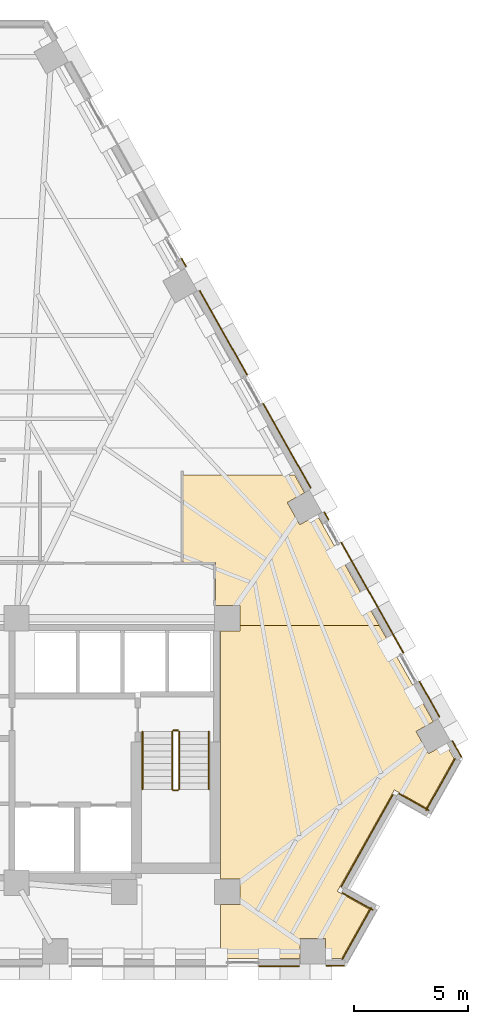
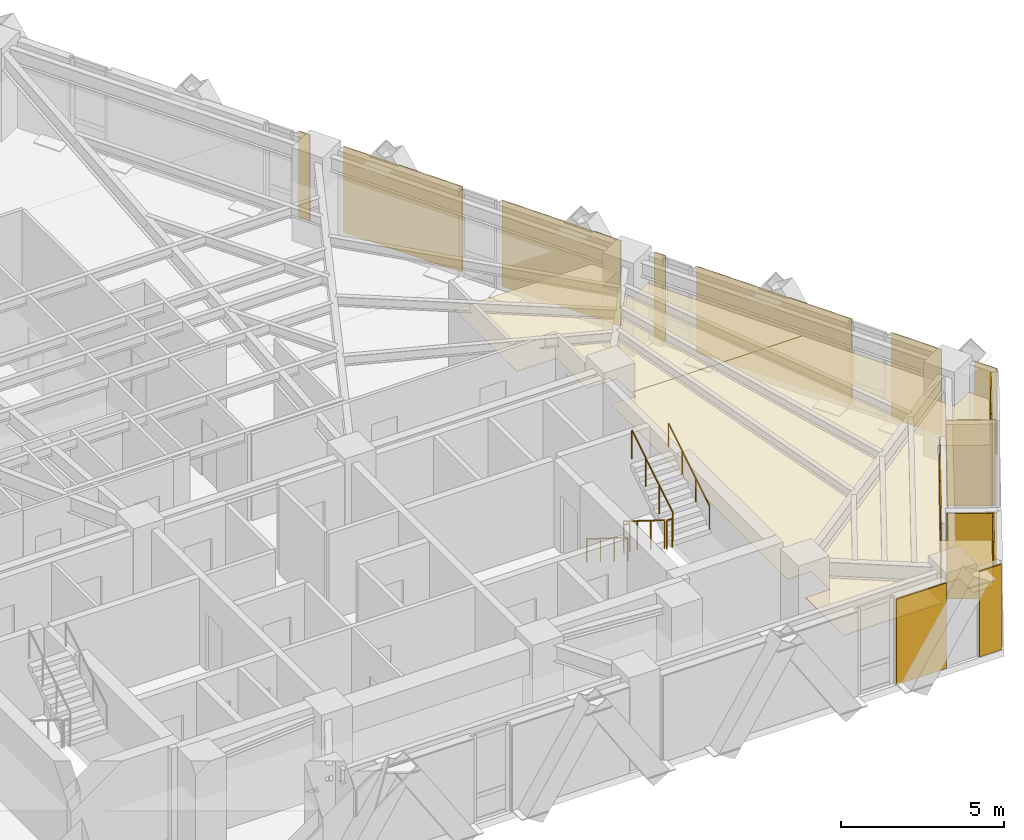
# One storey, part 12 of 13: 16 coverings, 6 railings.
"""IFC4 building model written with IfcOpenShell, lengths in metres."""

from ifc_helpers import new_model, si_unit, direction, frame, origin, origin_2d, place, context, subcontext, project, spatial, polyline, circle, outline, extrude, material, layer, layer_set, type_object, element, save


model = new_model("IFC4")

# Units and contexts
model_context = context("Model", 3, precision=1e-05, world=origin(), true_north=direction((0.0, 1.0)))
body_context = subcontext(model_context, "Body", "Model", "MODEL_VIEW")
ifc_project = project(units=[si_unit("LENGTHUNIT", "METRE"), si_unit("AREAUNIT", "SQUARE_METRE"), si_unit("VOLUMEUNIT", "CUBIC_METRE"), si_unit("PLANEANGLEUNIT", "RADIAN"), si_unit("MASSUNIT", "GRAM", prefix="KILO")], contexts=[model_context])

# Site, building, storey
site_placement = place(None, origin())
site = spatial("IfcSite", under=ifc_project, at=site_placement, CompositionType="ELEMENT")
building_placement = place(site_placement, origin())
building = spatial("IfcBuilding", under=site, at=building_placement, Name="Quenlor Broadcast Tower", CompositionType="ELEMENT")
storey_placement = place(building_placement, frame((0.0, 0.0, 105.5)))
storey = spatial("IfcBuildingStorey", under=building, at=storey_placement, Name="L28", CompositionType="ELEMENT", Elevation=105.5)

# Coverings
ifc_material_1 = material(Name="Acoustic Mineral Fibre Board", Category="other")
ifc_layer_1 = layer(ifc_material_1, 0.02490234375)
ifc_layer_set_1 = layer_set([ifc_layer_1], Name="Acoustic Perforated Mineral Tile Ceiling 25")
covering_type_1 = type_object("IfcCoveringType", Name="Acoustic Perforated Mineral Tile Ceiling 25", PredefinedType="CEILING", material=ifc_layer_set_1)
covering_1_placement = place(storey_placement, frame((0.0, 0.0, 2.22509765625)))
element("IfcCovering", 1, at=covering_1_placement, inside=storey, type_object=covering_type_1, Name="L28 Acoustic Ceiling L28-35", PredefinedType="CEILING", context=body_context, shape_type="SweptSolid", body=[
    extrude(outline(polyline([(11.0224609375, 1.4599609375), (15.888671875, 1.4599609375), (16.32666015625, 0.68115234375), (15.5703125, 0.255615234375), (16.1171875, -0.717041015625), (16.873779296875, -0.29150390625), (19.58984375, -5.1201171875), (13.508056640625, -5.1201171875), (13.508056640625, -4.241943359375), (12.43994140625, -4.241943359375), (12.43994140625, -2.3701171875), (11.0224609375, -2.3701171875), (11.0224609375, 1.4599609375)])), origin(), (0.0, 0.0, 1.0), 0.02490234375),
])
covering_2_placement = place(storey_placement, frame((0.0, 0.0, 2.22509765625)))
element("IfcCovering", 2, at=covering_2_placement, inside=storey, type_object=covering_type_1, Name="L28 Acoustic Ceiling L28-35-2", PredefinedType="CEILING", context=body_context, shape_type="SweptSolid", body=[
    extrude(outline(polyline([(21.951416015625, -9.318115234375), (21.19482421875, -9.74365234375), (21.741943359375, -10.71630859375), (22.49853515625, -10.290771484375), (22.85693359375, -10.927978515625), (21.64453125, -13.08349609375), (20.25, -12.299072265625), (17.759521484375, -16.7265625), (19.15380859375, -17.510986328125), (17.9453125, -19.659912109375), (17.25048828125, -19.659912109375), (17.25048828125, -18.7919921875), (16.134521484375, -18.7919921875), (16.134521484375, -19.659912109375), (12.64990234375, -19.659912109375), (12.64990234375, -17.30810546875), (13.508056640625, -17.30810546875), (13.508056640625, -16.19189453125), (12.64990234375, -16.19189453125), (12.64990234375, -5.35791015625), (13.508056640625, -5.35791015625), (13.508056640625, -5.1201171875), (19.58984375, -5.1201171875), (21.951416015625, -9.318115234375)])), origin(), (0.0, 0.0, 1.0), 0.02490234375),
])
ifc_material_2 = material(Name="Architectural Terracotta Ceramic", Category="masonry")
ifc_layer_2 = layer(ifc_material_2, 0.044921875)
ifc_layer_set_2 = layer_set([ifc_layer_2], Name="Fluted Terracotta Rainscreen Cladding Panel")
covering_type_2 = type_object("IfcCoveringType", Name="Fluted Terracotta Rainscreen Cladding Panel", PredefinedType="CLADDING", material=ifc_layer_set_2)
covering_3_placement = place(storey_placement, frame((0.0, 0.0, 0.02001953125)))
element("IfcCovering", 3, at=covering_3_placement, inside=storey, type_object=covering_type_2, Name="L28 Terracotta Rainscreen Cladding L28-SHD-SS0", PredefinedType="CLADDING", context=body_context, shape_type="SweptSolid", body=[
    extrude(outline(polyline([(18.053955078125, -19.951904296875), (17.277587890625, -19.951904296875), (17.277587890625, -19.9970703125), (18.053955078125, -19.9970703125), (18.053955078125, -19.951904296875)])), origin(), (0.0, 0.0, 1.0), 3.2099609375),
])
covering_4_placement = place(storey_placement, frame((0.0, 0.0, 0.02001953125)))
element("IfcCovering", 4, at=covering_4_placement, inside=storey, type_object=covering_type_2, Name="L28 Terracotta Rainscreen Cladding L28-SA-SP1", PredefinedType="CLADDING", context=body_context, shape_type="SweptSolid", body=[
    extrude(outline(polyline([(16.08740234375, -19.971923828125), (14.32177734375, -19.971923828125), (14.32177734375, -20.01708984375), (16.08740234375, -20.01708984375), (16.08740234375, -19.971923828125)])), origin(), (0.0, 0.0, 1.0), 3.2099609375),
])
covering_5_placement = place(storey_placement, frame((0.0, 0.0, 0.02001953125)))
element("IfcCovering", 5, at=covering_5_placement, inside=storey, type_object=covering_type_2, Name="L28 Terracotta Rainscreen Cladding L28-SHD-NES1", PredefinedType="CLADDING", context=body_context, shape_type="SweptSolid", body=[
    extrude(outline(polyline([(22.76611328125, -10.171142578125), (23.160888671875, -10.873046875), (23.2001953125, -10.85107421875), (22.805419921875, -10.149169921875), (22.76611328125, -10.171142578125)])), origin(), (0.0, 0.0, 1.0), 3.2099609375),
])
covering_6_placement = place(storey_placement, frame((0.0, 0.0, 0.02001953125)))
element("IfcCovering", 6, at=covering_6_placement, inside=storey, type_object=covering_type_2, Name="L28 Terracotta Rainscreen Cladding L28-NEA-SP3", PredefinedType="CLADDING", context=body_context, shape_type="SweptSolid", body=[
    extrude(outline(polyline([(10.936279296875, 10.900634765625), (11.13232421875, 10.552001953125), (11.171630859375, 10.57421875), (10.9755859375, 10.922607421875), (10.936279296875, 10.900634765625)])), origin(), (0.0, 0.0, 1.0), 3.2099609375),
])
covering_7_placement = place(storey_placement, frame((0.0, 0.0, 0.02001953125)))
element("IfcCovering", 7, at=covering_7_placement, inside=storey, type_object=covering_type_2, Name="L28 Terracotta Rainscreen Cladding L28-NEC-SP1", PredefinedType="CLADDING", context=body_context, shape_type="SweptSolid", body=[
    extrude(outline(polyline([(17.168701171875, -0.179443359375), (17.36474609375, -0.528076171875), (17.404052734375, -0.506103515625), (17.2080078125, -0.157470703125), (17.168701171875, -0.179443359375)])), origin(), (0.0, 0.0, 1.0), 3.2099609375),
])
covering_8_placement = place(storey_placement, frame((0.0, 0.0, 0.02001953125)))
element("IfcCovering", 8, at=covering_8_placement, inside=storey, type_object=covering_type_2, Name="L28 Terracotta Rainscreen Cladding L28-NEC-SP2", PredefinedType="CLADDING", context=body_context, shape_type="SweptSolid", body=[
    extrude(outline(polyline([(17.912841796875, -1.502197265625), (20.62744140625, -6.328369140625), (20.666748046875, -6.306396484375), (17.951904296875, -1.47998046875), (17.912841796875, -1.502197265625)])), origin(), (0.0, 0.0, 1.0), 3.2099609375),
])
covering_9_placement = place(storey_placement, frame((0.0, 0.0, 0.02001953125)))
element("IfcCovering", 9, at=covering_9_placement, inside=storey, type_object=covering_type_2, Name="L28 Terracotta Rainscreen Cladding L28-NEC-SP3", PredefinedType="CLADDING", context=body_context, shape_type="SweptSolid", body=[
    extrude(outline(polyline([(21.325927734375, -7.56982421875), (22.2001953125, -9.1240234375), (22.239501953125, -9.10205078125), (21.364990234375, -7.5478515625), (21.325927734375, -7.56982421875)])), origin(), (0.0, 0.0, 1.0), 3.2099609375),
])
covering_10_placement = place(storey_placement, frame((0.0, 0.0, 0.02001953125)))
element("IfcCovering", 10, at=covering_10_placement, inside=storey, type_object=covering_type_2, Name="L28 Terracotta Rainscreen Cladding L28-NE-SP1", PredefinedType="CLADDING", context=body_context, shape_type="SweptSolid", body=[
    extrude(outline(polyline([(11.72314453125, 9.501708984375), (13.801513671875, 5.806884765625), (13.8408203125, 5.8291015625), (11.76220703125, 9.523681640625), (11.72314453125, 9.501708984375)])), origin(), (0.0, 0.0, 1.0), 3.2099609375),
])
covering_11_placement = place(storey_placement, frame((0.0, 0.0, 0.02001953125)))
element("IfcCovering", 11, at=covering_11_placement, inside=storey, type_object=covering_type_2, Name="L28 Terracotta Rainscreen Cladding L28-NE-SP2", PredefinedType="CLADDING", context=body_context, shape_type="SweptSolid", body=[
    extrude(outline(polyline([(14.499755859375, 4.565673828125), (16.577880859375, 0.870849609375), (16.6171875, 0.892822265625), (14.538818359375, 4.587646484375), (14.499755859375, 4.565673828125)])), origin(), (0.0, 0.0, 1.0), 3.2099609375),
])
covering_12_placement = place(storey_placement, frame((0.0, 0.0, 0.02001953125)))
element("IfcCovering", 12, at=covering_12_placement, inside=storey, type_object=covering_type_2, Name="L28 Terracotta Rainscreen Cladding L28-CNR-01", PredefinedType="CLADDING", context=body_context, shape_type="SweptSolid", body=[
    extrude(outline(polyline([(19.31787109375, -17.525390625), (17.9755859375, -16.770263671875), (17.95361328125, -16.8095703125), (19.2958984375, -17.564697265625), (19.31787109375, -17.525390625)])), origin(), (0.0, 0.0, 1.0), 3.2099609375),
])
covering_13_placement = place(storey_placement, frame((0.0, 0.0, 0.02001953125)))
element("IfcCovering", 13, at=covering_13_placement, inside=storey, type_object=covering_type_2, Name="L28 Terracotta Rainscreen Cladding L28-CNR-02", PredefinedType="CLADDING", context=body_context, shape_type="SweptSolid", body=[
    extrude(outline(polyline([(17.941162109375, -16.5419921875), (20.206298828125, -12.515380859375), (20.1669921875, -12.493408203125), (17.902099609375, -16.52001953125), (17.941162109375, -16.5419921875)])), origin(), (0.0, 0.0, 1.0), 2.681884765625),
])
covering_14_placement = place(storey_placement, frame((0.0, 0.0, 0.02001953125)))
element("IfcCovering", 14, at=covering_14_placement, inside=storey, type_object=covering_type_2, Name="L28 Terracotta Rainscreen Cladding L28-CNR-03", PredefinedType="CLADDING", context=body_context, shape_type="SweptSolid", body=[
    extrude(outline(polyline([(20.4345703125, -12.48095703125), (21.741943359375, -13.21630859375), (21.763916015625, -13.177001953125), (20.45654296875, -12.441650390625), (20.4345703125, -12.48095703125)])), origin(), (0.0, 0.0, 1.0), 3.2099609375),
])
covering_15_placement = place(storey_placement, frame((0.0, 0.0, 0.02001953125)))
element("IfcCovering", 15, at=covering_15_placement, inside=storey, type_object=covering_type_2, Name="L28 Terracotta Rainscreen Cladding L28-CNR-04", PredefinedType="CLADDING", context=body_context, shape_type="SweptSolid", body=[
    extrude(outline(polyline([(21.64990234375, -13.212646484375), (22.926513671875, -10.94287109375), (22.887451171875, -10.9208984375), (21.610595703125, -13.190673828125), (21.64990234375, -13.212646484375)])), origin(), (0.0, 0.0, 1.0), 3.2099609375),
])
covering_16_placement = place(storey_placement, frame((0.0, 0.0, 0.02001953125)))
element("IfcCovering", 16, at=covering_16_placement, inside=storey, type_object=covering_type_2, Name="L28 Terracotta Rainscreen Cladding L28-CNR-18", PredefinedType="CLADDING", context=body_context, shape_type="SweptSolid", body=[
    extrude(outline(polyline([(17.991943359375, -19.71533203125), (19.26708984375, -17.448486328125), (19.227783203125, -17.426513671875), (17.952880859375, -19.693359375), (17.991943359375, -19.71533203125)])), origin(), (0.0, 0.0, 1.0), 3.2099609375),
])

# Railings
ifc_material_3 = material(Name="Anodised Aluminium", Category="aluminium")
railing_type_1 = type_object("IfcRailingType", Name="Stainless Aluminium Wall Handrail 900", PredefinedType="HANDRAIL", material=ifc_material_3)
railing_1_placement = place(storey_placement, frame((9.25, -9.75, 0.175048828125)))
element("IfcRailing", 17, at=railing_1_placement, inside=storey, type_object=railing_type_1, Name="L28 ST-2 stair handrail 1", PredefinedType="HANDRAIL", context=body_context, shape_type="SweptSolid", body=[
    extrude(circle(Radius=0.02392578125, at=origin_2d()), frame((0.0, 0.0, 0.8759765625), z_axis=(0.0, -0.848007534815, 0.529984170421), x_axis=(1.0, 0.0, 0.0)), (0.0, 0.0, 1.0), 2.9716796875),
    extrude(circle(Radius=0.02099609375, at=origin_2d()), origin(), (0.0, 0.0, 1.0), 0.851806640625),
    extrude(circle(Radius=0.02099609375, at=origin_2d()), frame((0.0, -0.840087890625, 0.52490234375)), (0.0, 0.0, 1.0), 0.851806640625),
    extrude(circle(Radius=0.02099609375, at=origin_2d()), frame((0.0, -1.679931640625, 1.050048828125)), (0.0, 0.0, 1.0), 0.851806640625),
    extrude(circle(Radius=0.02099609375, at=origin_2d()), frame((0.0, -2.52001953125, 1.574951171875)), (0.0, 0.0, 1.0), 0.851806640625),
])
railing_2_placement = place(storey_placement, frame((12.14990234375, -12.27001953125, 1.925048828125)))
element("IfcRailing", 18, at=railing_2_placement, inside=storey, type_object=railing_type_1, Name="L28 ST-2 stair handrail 2", PredefinedType="HANDRAIL", context=body_context, shape_type="SweptSolid", body=[
    extrude(circle(Radius=0.02392578125, at=origin_2d()), frame((0.0, 0.0, 0.8759765625), z_axis=(0.0, 0.848007534815, 0.529984170421), x_axis=(-1.0, 0.0, 0.0)), (0.0, 0.0, 1.0), 2.9716796875),
    extrude(circle(Radius=0.02099609375, at=origin_2d()), origin(), (0.0, 0.0, 1.0), 0.851806640625),
    extrude(circle(Radius=0.02099609375, at=origin_2d()), frame((0.0, 0.840087890625, 0.52490234375)), (0.0, 0.0, 1.0), 0.851806640625),
    extrude(circle(Radius=0.02099609375, at=origin_2d()), frame((0.0, 1.679931640625, 1.050048828125)), (0.0, 0.0, 1.0), 0.851806640625),
    extrude(circle(Radius=0.02099609375, at=origin_2d()), frame((0.0, 2.52001953125, 1.574951171875)), (0.0, 0.0, 1.0), 0.851806640625),
])
ifc_material_4 = material(Name="Steel S355", Category="steel")
railing_type_2 = type_object("IfcRailingType", Name="Tubular Steel S355 Stair Guardrail 1100", PredefinedType="BALUSTRADE", material=ifc_material_4)
railing_3_placement = place(storey_placement, frame((10.550048828125, -9.75, 0.175048828125)))
element("IfcRailing", 19, at=railing_3_placement, inside=storey, type_object=railing_type_2, Name="L28 ST-2 stair guard 1", PredefinedType="BALUSTRADE", context=body_context, shape_type="SweptSolid", body=[
    extrude(circle(Radius=0.02392578125, at=origin_2d()), frame((0.0, 0.0, 1.076171875), z_axis=(0.0, -0.848007534815, 0.529984170421), x_axis=(1.0, 0.0, 0.0)), (0.0, 0.0, 1.0), 2.9716796875),
    extrude(circle(Radius=0.02099609375, at=origin_2d()), origin(), (0.0, 0.0, 1.0), 1.052001953125),
    extrude(circle(Radius=0.02099609375, at=origin_2d()), frame((0.0, -0.840087890625, 0.52490234375)), (0.0, 0.0, 1.0), 1.052001953125),
    extrude(circle(Radius=0.02099609375, at=origin_2d()), frame((0.0, -1.679931640625, 1.050048828125)), (0.0, 0.0, 1.0), 1.052001953125),
    extrude(circle(Radius=0.02099609375, at=origin_2d()), frame((0.0, -2.52001953125, 1.574951171875)), (0.0, 0.0, 1.0), 1.052001953125),
])
railing_4_placement = place(storey_placement, frame((10.60009765625, -12.320068359375, 1.75)))
element("IfcRailing", 20, at=railing_4_placement, inside=storey, type_object=railing_type_2, Name="L28 ST-2 stair guard 2", PredefinedType="BALUSTRADE", context=body_context, shape_type="SweptSolid", body=[
    extrude(circle(Radius=0.02392578125, at=origin_2d()), frame((0.0, 0.0, 1.076171875), z_axis=(1.0, 0.0, 0.0), x_axis=(0.0, 1.0, 0.0)), (0.0, 0.0, 1.0), 0.199951171875),
    extrude(circle(Radius=0.02099609375, at=origin_2d()), origin(), (0.0, 0.0, 1.0), 1.052001953125),
    extrude(circle(Radius=0.02099609375, at=origin_2d()), frame((0.199951171875, 0.0, 0.0)), (0.0, 0.0, 1.0), 1.052001953125),
])
railing_5_placement = place(storey_placement, frame((10.85009765625, -12.27001953125, 1.925048828125)))
element("IfcRailing", 21, at=railing_5_placement, inside=storey, type_object=railing_type_2, Name="L28 ST-2 stair guard 3", PredefinedType="BALUSTRADE", context=body_context, shape_type="SweptSolid", body=[
    extrude(circle(Radius=0.02392578125, at=origin_2d()), frame((0.0, 0.0, 1.076171875), z_axis=(0.0, 0.848007534815, 0.529984170421), x_axis=(-1.0, 0.0, 0.0)), (0.0, 0.0, 1.0), 2.9716796875),
    extrude(circle(Radius=0.02099609375, at=origin_2d()), origin(), (0.0, 0.0, 1.0), 1.052001953125),
    extrude(circle(Radius=0.02099609375, at=origin_2d()), frame((0.0, 0.840087890625, 0.52490234375)), (0.0, 0.0, 1.0), 1.052001953125),
    extrude(circle(Radius=0.02099609375, at=origin_2d()), frame((0.0, 1.679931640625, 1.050048828125)), (0.0, 0.0, 1.0), 1.052001953125),
    extrude(circle(Radius=0.02099609375, at=origin_2d()), frame((0.0, 2.52001953125, 1.574951171875)), (0.0, 0.0, 1.0), 1.052001953125),
])
railing_6_placement = place(storey_placement, frame((10.60009765625, -9.699951171875, 0.0)))
element("IfcRailing", 22, at=railing_6_placement, inside=storey, type_object=railing_type_2, Name="L28 ST-2 stair guard 4", PredefinedType="BALUSTRADE", context=body_context, shape_type="SweptSolid", body=[
    extrude(circle(Radius=0.02392578125, at=origin_2d()), frame((0.0, 0.0, 1.076171875), z_axis=(1.0, 0.0, 0.0), x_axis=(0.0, 1.0, 0.0)), (0.0, 0.0, 1.0), 0.199951171875),
    extrude(circle(Radius=0.02099609375, at=origin_2d()), origin(), (0.0, 0.0, 1.0), 1.052001953125),
    extrude(circle(Radius=0.02099609375, at=origin_2d()), frame((0.199951171875, 0.0, 0.0)), (0.0, 0.0, 1.0), 1.052001953125),
])

save(model, "model.ifc")
